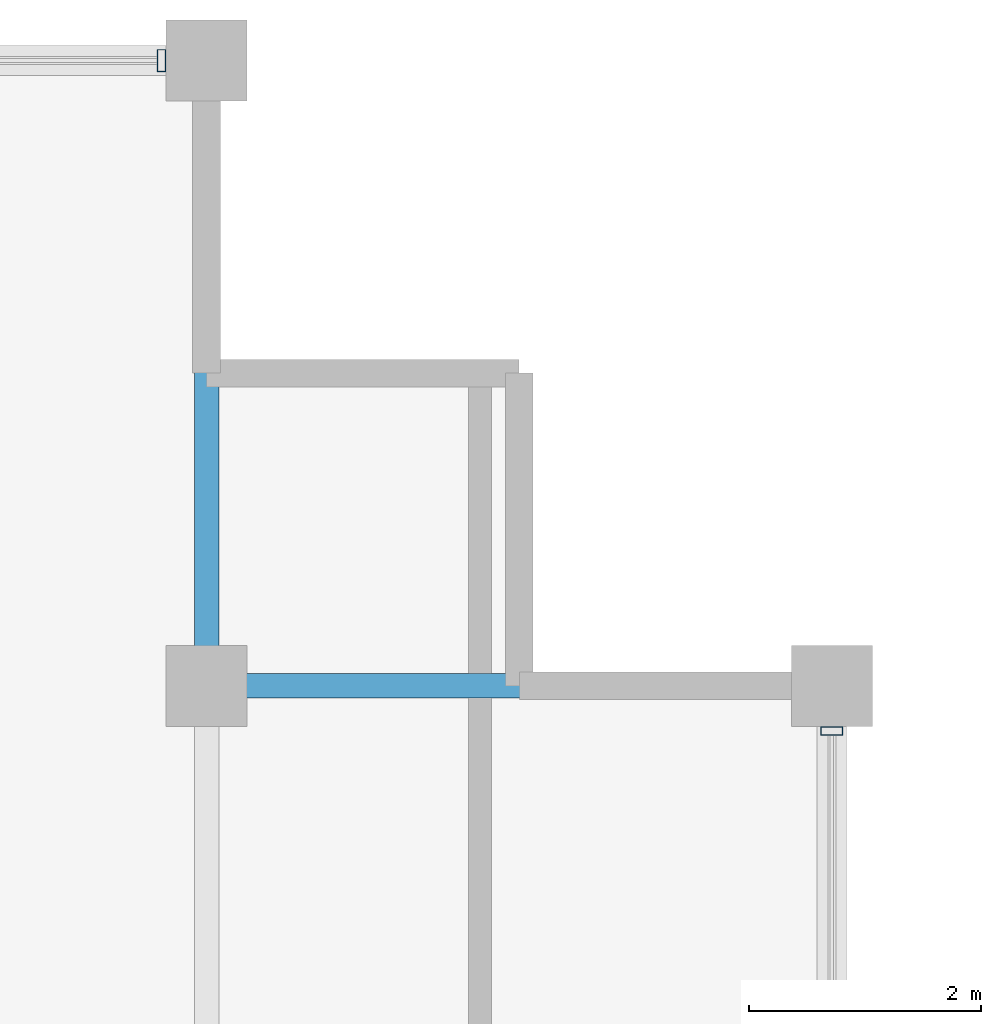
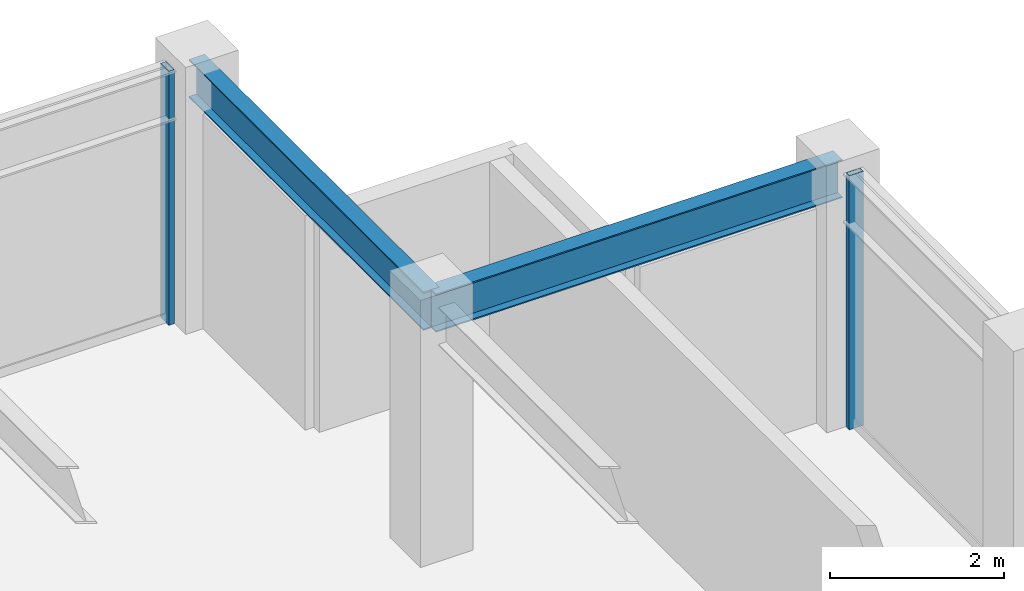
# One storey, part 20 of 31: 2 beams, 2 members, 2 elements without a shape of their own.
"""IFC4 building model written with IfcOpenShell, lengths in metres."""

from ifc_helpers import new_model, si_unit, direction, frame, origin, origin_2d, place, context, subcontext, project, spatial, hollow_rectangle, i_section, extrude, material, layer, layer_set, material_profile, profile_set, type_object, element, aggregate, save


model = new_model("IFC4")

# Units and contexts
model_context = context("Model", 3, precision=1e-05, world=origin(), true_north=direction((0.0, 1.0)))
body_context = subcontext(model_context, "Body", "Model", "MODEL_VIEW")
ifc_project = project(units=[si_unit("LENGTHUNIT", "METRE"), si_unit("AREAUNIT", "SQUARE_METRE"), si_unit("VOLUMEUNIT", "CUBIC_METRE"), si_unit("PLANEANGLEUNIT", "RADIAN"), si_unit("MASSUNIT", "GRAM", prefix="KILO")], contexts=[model_context])

# Site, building, storey
site_placement = place(None, origin())
site = spatial("IfcSite", under=ifc_project, at=site_placement, CompositionType="ELEMENT")
building_placement = place(site_placement, origin())
building = spatial("IfcBuilding", under=site, at=building_placement, Name="Surkhivell Harbour Commons", CompositionType="ELEMENT")
storey_placement = place(building_placement, frame((0.0, 0.0, 270.0)))
storey = spatial("IfcBuildingStorey", under=building, at=storey_placement, Name="L70", CompositionType="ELEMENT", Elevation=270.0)

# Beams
ifc_material_1 = material(Name="Steel S355", Category="steel")
ifc_material_profile_1 = material_profile(ifc_material_1, i_section(OverallWidth=0.2099609375, OverallDepth=0.537109375, WebThickness=0.0107421875, FlangeThickness=0.017333984375, at=origin_2d()), Name="UB533x210x101")
ifc_profile_set_1 = profile_set([ifc_material_profile_1], Name="Steel S355")
beam_type = type_object("IfcBeamType", Name="BM-GRD-533B", PredefinedType="BEAM", material=ifc_profile_set_1)
for number, where, z_axis, x_axis, name in (
    (1, (10.800048828125, 20.5, 3.301513671875), (0.0, 1.0, 0.0), (-1.0, 0.0, 0.0), "L70 Floor Girder (10.8,20.5)"),
    (2, (10.800048828125, 20.5, 3.301513671875), (1.0, 0.0, 0.0), (0.0, 1.0, 0.0), "L70 Floor Girder (10.8,20.5)"),
):
    element("IfcBeam", number, at=place(storey_placement, frame(where, z_axis=z_axis, x_axis=x_axis)), inside=storey, type_object=beam_type, Name=name, PredefinedType="BEAM", context=body_context, shape_type="SweptSolid", body=[
        extrude(i_section(OverallWidth=0.2099609375, OverallDepth=0.537109375, WebThickness=0.0107421875, FlangeThickness=0.017333984375, at=origin_2d()), origin(), (0.0, 0.0, 1.0), 5.39990234375),
    ])

# Curtain wall, member
ifc_material_2 = material(Name="Anodised pale-metal aluminium and insulated glazing", Category="aluminium")
ifc_layer = layer(ifc_material_2, 0.175048828125)
ifc_layer_set = layer_set([ifc_layer], Name="Anodised pale-metal aluminium and insulated glazing")
curtain_wall_type = type_object("IfcCurtainWallType", Name="CW-SYS-Z4", PredefinedType="NOTDEFINED", material=ifc_layer_set)
curtain_wall_1_placement = place(storey_placement, origin())
curtain_wall_1 = element("IfcCurtainWall", 3, at=curtain_wall_1_placement, inside=storey, type_object=curtain_wall_type, Name="L70 Curtain Wall CW-L70-E02R2", PredefinedType="NOTDEFINED")
ifc_material_3 = material(Name="Anodised pale-metal aluminium alloy 6063-T6", Category="aluminium")
ifc_material_profile_2 = material_profile(ifc_material_3, hollow_rectangle(XDim=0.074951171875, YDim=0.18994140625, WallThickness=0.00390625, at=origin_2d()), Name="ALU-MULL-75x190")
ifc_profile_set_2 = profile_set([ifc_material_profile_2], Name="Anodised pale-metal aluminium alloy 6063-T6")
member_type = type_object("IfcMemberType", Name="CWM-190", PredefinedType="MULLION", material=ifc_profile_set_2)
member_1_placement = place(storey_placement, frame((16.199951171875, 20.110595703125, 0.0), z_axis=(0.0, 0.0, 1.0), x_axis=(0.0, 1.0, 0.0)))
member_1 = element("IfcMember", 4, at=member_1_placement, type_object=member_type, Name="CW-Z4 mullion 3", PredefinedType="MULLION", context=body_context, shape_type="SweptSolid", body=[
    extrude(hollow_rectangle(XDim=0.074951171875, YDim=0.18994140625, WallThickness=0.00390625, at=origin_2d()), origin(), (0.0, 0.0, 1.0), 3.570068359375),
])
aggregate(curtain_wall_1, [member_1])

curtain_wall_2_placement = place(storey_placement, origin())
curtain_wall_2 = element("IfcCurtainWall", 5, at=curtain_wall_2_placement, inside=storey, type_object=curtain_wall_type, Name="L70 Curtain Wall CW-L70-E07S1", PredefinedType="NOTDEFINED")
member_2_placement = place(storey_placement, frame((10.410400390625, 25.89990234375, 0.0), z_axis=(0.0, 0.0, 1.0), x_axis=(-1.0, 0.0, 0.0)))
member_2 = element("IfcMember", 6, at=member_2_placement, type_object=member_type, Name="CW-Z4 mullion 1", PredefinedType="MULLION", context=body_context, shape_type="SweptSolid", body=[
    extrude(hollow_rectangle(XDim=0.074951171875, YDim=0.18994140625, WallThickness=0.00390625, at=origin_2d()), origin(), (0.0, 0.0, 1.0), 3.570068359375),
])
aggregate(curtain_wall_2, [member_2])

save(model, "model.ifc")
